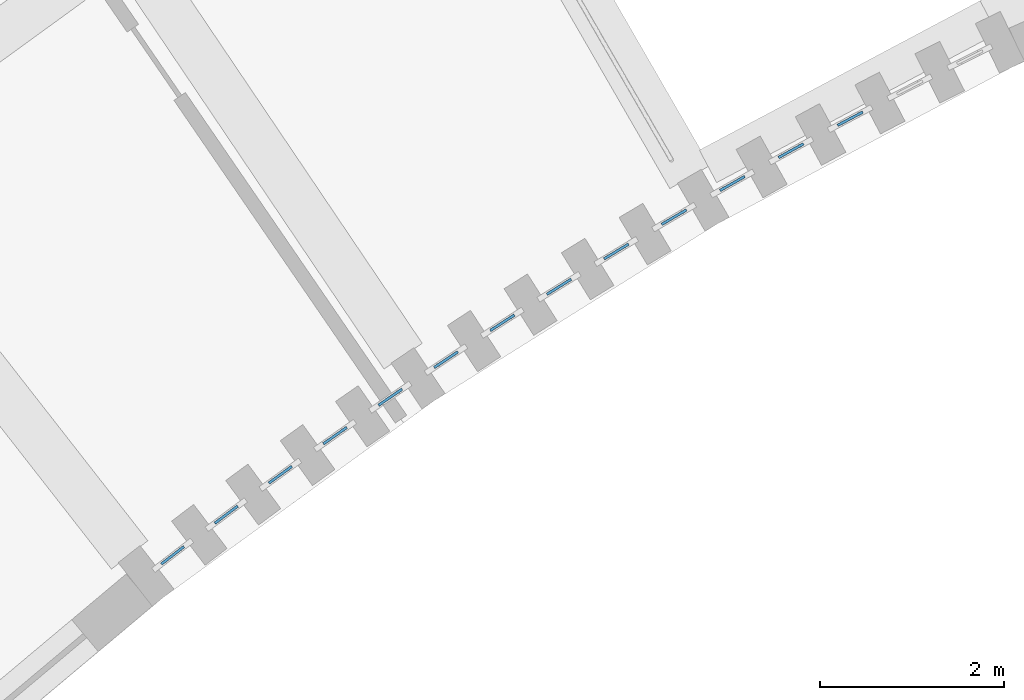
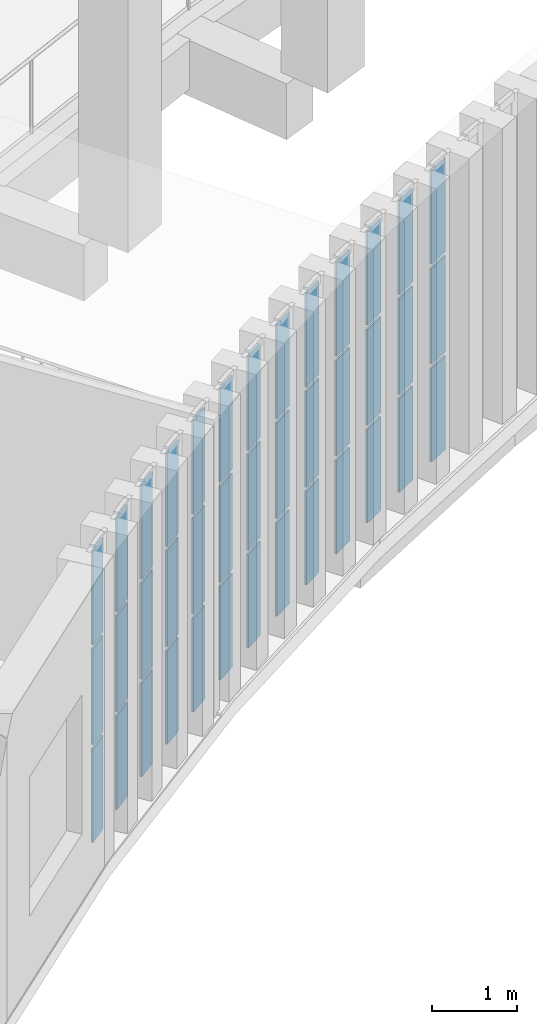
# One storey, part 40 of 112: 39 plates, 13 elements without a shape of their own.
"""IFC4 building model written with IfcOpenShell, lengths in metres."""

from ifc_helpers import new_model, si_unit, direction, frame, origin, origin_2d, place, context, subcontext, project, spatial, rectangle, extrude, material, layer, layer_set, type_object, element, aggregate, save


model = new_model("IFC4")

# Units and contexts
model_context = context("Model", 3, precision=1e-05, world=origin(), true_north=direction((0.0, 1.0)))
body_context = subcontext(model_context, "Body", "Model", "MODEL_VIEW")
ifc_project = project(units=[si_unit("LENGTHUNIT", "METRE"), si_unit("AREAUNIT", "SQUARE_METRE"), si_unit("VOLUMEUNIT", "CUBIC_METRE"), si_unit("PLANEANGLEUNIT", "RADIAN"), si_unit("MASSUNIT", "GRAM", prefix="KILO")], contexts=[model_context])

# Site, building, storey
site_placement = place(None, origin())
site = spatial("IfcSite", under=ifc_project, at=site_placement, CompositionType="ELEMENT")
building_placement = place(site_placement, origin())
building = spatial("IfcBuilding", under=site, at=building_placement, Name="Lunette Opera House", CompositionType="ELEMENT")
storey_placement = place(building_placement, frame((0.0, 0.0, 6.0)))
storey = spatial("IfcBuildingStorey", under=building, at=storey_placement, Name="L01", CompositionType="ELEMENT", Elevation=6.0)

# Curtain wall, plates
ifc_material_1 = material(Name="Aluminium", Category="aluminium")
ifc_layer_1 = layer(ifc_material_1, 0.1201171875)
ifc_layer_set_1 = layer_set([ifc_layer_1], Name="Aluminium")
curtain_wall_type = type_object("IfcCurtainWallType", Name="SLOT CURTAIN WALL", PredefinedType="NOTDEFINED", material=ifc_layer_set_1)
curtain_wall_1_placement = place(storey_placement, origin())
curtain_wall_1 = element("IfcCurtainWall", 1, at=curtain_wall_1_placement, inside=storey, type_object=curtain_wall_type, Name="Slot Curtain Wall CS006 L01", PredefinedType="NOTDEFINED")
ifc_material_2 = material(Name="Laminated glass", Category="glass")
ifc_layer_2 = layer(ifc_material_2, 0.028076171875)
ifc_layer_set_2 = layer_set([ifc_layer_2], Name="Laminated glass")
plate_type = type_object("IfcPlateType", Name="CURTAIN PANEL LAMINATED GLASS 28", PredefinedType="CURTAIN_PANEL", material=ifc_layer_set_2)
plate_1_placement = place(storey_placement, frame((64.089599609375, 41.4365234375, 0.06005859375), z_axis=(0.0, 0.0, 1.0), x_axis=(0.791846424704, 0.610720263036, 0.0)))
plate_1 = element("IfcPlate", 2, at=plate_1_placement, type_object=plate_type, Name="FC-X2012 panel 1.1", PredefinedType="CURTAIN_PANEL", context=body_context, shape_type="SweptSolid", body=[
    extrude(rectangle(XDim=0.310546875, YDim=0.028076171875, at=origin_2d()), origin(), (0.0, 0.0, 1.0), 1.343017578125),
])
plate_2_placement = place(storey_placement, frame((64.089599609375, 41.4365234375, 1.462890625), z_axis=(0.0, 0.0, 1.0), x_axis=(0.791846424704, 0.610720263036, 0.0)))
plate_2 = element("IfcPlate", 3, at=plate_2_placement, type_object=plate_type, Name="FC-X2012 panel 1.2", PredefinedType="CURTAIN_PANEL", context=body_context, shape_type="SweptSolid", body=[
    extrude(rectangle(XDim=0.310546875, YDim=0.028076171875, at=origin_2d()), origin(), (0.0, 0.0, 1.0), 1.3740234375),
])
plate_3_placement = place(storey_placement, frame((64.089599609375, 41.4365234375, 2.89697265625), z_axis=(0.0, 0.0, 1.0), x_axis=(0.791846424704, 0.610720263036, 0.0)))
plate_3 = element("IfcPlate", 4, at=plate_3_placement, type_object=plate_type, Name="FC-X2012 panel 1.3", PredefinedType="CURTAIN_PANEL", context=body_context, shape_type="SweptSolid", body=[
    extrude(rectangle(XDim=0.310546875, YDim=0.028076171875, at=origin_2d()), origin(), (0.0, 0.0, 1.0), 1.343017578125),
])
aggregate(curtain_wall_1, [plate_1, plate_2, plate_3])

curtain_wall_2_placement = place(storey_placement, origin())
curtain_wall_2 = element("IfcCurtainWall", 5, at=curtain_wall_2_placement, inside=storey, type_object=curtain_wall_type, Name="Slot Curtain Wall CS007 L01", PredefinedType="NOTDEFINED")
plate_4_placement = place(storey_placement, frame((64.67138671875, 41.8779296875, 0.06005859375), z_axis=(0.0, 0.0, 1.0), x_axis=(0.800834877873, 0.598885213026, 0.0)))
plate_4 = element("IfcPlate", 6, at=plate_4_placement, type_object=plate_type, Name="FC-X2014 panel 1.1", PredefinedType="CURTAIN_PANEL", context=body_context, shape_type="SweptSolid", body=[
    extrude(rectangle(XDim=0.310791015625, YDim=0.028076171875, at=origin_2d()), origin(), (0.0, 0.0, 1.0), 1.343017578125),
])
plate_5_placement = place(storey_placement, frame((64.67138671875, 41.8779296875, 1.462890625), z_axis=(0.0, 0.0, 1.0), x_axis=(0.800834877873, 0.598885213026, 0.0)))
plate_5 = element("IfcPlate", 7, at=plate_5_placement, type_object=plate_type, Name="FC-X2014 panel 1.2", PredefinedType="CURTAIN_PANEL", context=body_context, shape_type="SweptSolid", body=[
    extrude(rectangle(XDim=0.310791015625, YDim=0.028076171875, at=origin_2d()), origin(), (0.0, 0.0, 1.0), 1.3740234375),
])
plate_6_placement = place(storey_placement, frame((64.67138671875, 41.8779296875, 2.89697265625), z_axis=(0.0, 0.0, 1.0), x_axis=(0.800834877873, 0.598885213026, 0.0)))
plate_6 = element("IfcPlate", 8, at=plate_6_placement, type_object=plate_type, Name="FC-X2014 panel 1.3", PredefinedType="CURTAIN_PANEL", context=body_context, shape_type="SweptSolid", body=[
    extrude(rectangle(XDim=0.310791015625, YDim=0.028076171875, at=origin_2d()), origin(), (0.0, 0.0, 1.0), 1.343017578125),
])
aggregate(curtain_wall_2, [plate_4, plate_5, plate_6])

curtain_wall_3_placement = place(storey_placement, origin())
curtain_wall_3 = element("IfcCurtainWall", 9, at=curtain_wall_3_placement, inside=storey, type_object=curtain_wall_type, Name="Slot Curtain Wall CS008 L01", PredefinedType="NOTDEFINED")
plate_7_placement = place(storey_placement, frame((65.259033203125, 42.3115234375, 0.06005859375), z_axis=(0.0, 0.0, 1.0), x_axis=(0.808836580304, 0.58803349085, 0.0)))
plate_7 = element("IfcPlate", 10, at=plate_7_placement, type_object=plate_type, Name="FC-X2016 panel 1.1", PredefinedType="CURTAIN_PANEL", context=body_context, shape_type="SweptSolid", body=[
    extrude(rectangle(XDim=0.310302734375, YDim=0.028076171875, at=origin_2d()), origin(), (0.0, 0.0, 1.0), 1.343017578125),
])
plate_8_placement = place(storey_placement, frame((65.259033203125, 42.3115234375, 1.462890625), z_axis=(0.0, 0.0, 1.0), x_axis=(0.808836580304, 0.58803349085, 0.0)))
plate_8 = element("IfcPlate", 11, at=plate_8_placement, type_object=plate_type, Name="FC-X2016 panel 1.2", PredefinedType="CURTAIN_PANEL", context=body_context, shape_type="SweptSolid", body=[
    extrude(rectangle(XDim=0.310302734375, YDim=0.028076171875, at=origin_2d()), origin(), (0.0, 0.0, 1.0), 1.3740234375),
])
plate_9_placement = place(storey_placement, frame((65.259033203125, 42.3115234375, 2.89697265625), z_axis=(0.0, 0.0, 1.0), x_axis=(0.808836580304, 0.58803349085, 0.0)))
plate_9 = element("IfcPlate", 12, at=plate_9_placement, type_object=plate_type, Name="FC-X2016 panel 1.3", PredefinedType="CURTAIN_PANEL", context=body_context, shape_type="SweptSolid", body=[
    extrude(rectangle(XDim=0.310302734375, YDim=0.028076171875, at=origin_2d()), origin(), (0.0, 0.0, 1.0), 1.343017578125),
])
aggregate(curtain_wall_3, [plate_7, plate_8, plate_9])

curtain_wall_4_placement = place(storey_placement, origin())
curtain_wall_4 = element("IfcCurtainWall", 13, at=curtain_wall_4_placement, inside=storey, type_object=curtain_wall_type, Name="Slot Curtain Wall CS009 L01", PredefinedType="NOTDEFINED")
plate_10_placement = place(storey_placement, frame((65.85302734375, 42.736083984375, 0.06005859375), z_axis=(0.0, 0.0, 1.0), x_axis=(0.817482433129, 0.575953532436, 0.0)))
plate_10 = element("IfcPlate", 14, at=plate_10_placement, type_object=plate_type, Name="FC-X2018 panel 1.1", PredefinedType="CURTAIN_PANEL", context=body_context, shape_type="SweptSolid", body=[
    extrude(rectangle(XDim=0.310546875, YDim=0.028076171875, at=origin_2d()), origin(), (0.0, 0.0, 1.0), 1.343017578125),
])
plate_11_placement = place(storey_placement, frame((65.85302734375, 42.736083984375, 1.462890625), z_axis=(0.0, 0.0, 1.0), x_axis=(0.817482433129, 0.575953532436, 0.0)))
plate_11 = element("IfcPlate", 15, at=plate_11_placement, type_object=plate_type, Name="FC-X2018 panel 1.2", PredefinedType="CURTAIN_PANEL", context=body_context, shape_type="SweptSolid", body=[
    extrude(rectangle(XDim=0.310546875, YDim=0.028076171875, at=origin_2d()), origin(), (0.0, 0.0, 1.0), 1.3740234375),
])
plate_12_placement = place(storey_placement, frame((65.85302734375, 42.736083984375, 2.89697265625), z_axis=(0.0, 0.0, 1.0), x_axis=(0.817482433129, 0.575953532436, 0.0)))
plate_12 = element("IfcPlate", 16, at=plate_12_placement, type_object=plate_type, Name="FC-X2018 panel 1.3", PredefinedType="CURTAIN_PANEL", context=body_context, shape_type="SweptSolid", body=[
    extrude(rectangle(XDim=0.310546875, YDim=0.028076171875, at=origin_2d()), origin(), (0.0, 0.0, 1.0), 1.343017578125),
])
aggregate(curtain_wall_4, [plate_10, plate_11, plate_12])

curtain_wall_5_placement = place(storey_placement, origin())
curtain_wall_5 = element("IfcCurtainWall", 17, at=curtain_wall_5_placement, inside=storey, type_object=curtain_wall_type, Name="Slot Curtain Wall CS010 L01", PredefinedType="NOTDEFINED")
plate_13_placement = place(storey_placement, frame((66.452392578125, 43.153564453125, 0.06005859375), z_axis=(0.0, 0.0, 1.0), x_axis=(0.825193212937, 0.56485056548, 0.0)))
plate_13 = element("IfcPlate", 18, at=plate_13_placement, type_object=plate_type, Name="FC-X2020 panel 1.1", PredefinedType="CURTAIN_PANEL", context=body_context, shape_type="SweptSolid", body=[
    extrude(rectangle(XDim=0.310302734375, YDim=0.028076171875, at=origin_2d()), origin(), (0.0, 0.0, 1.0), 1.343017578125),
])
plate_14_placement = place(storey_placement, frame((66.452392578125, 43.153564453125, 1.462890625), z_axis=(0.0, 0.0, 1.0), x_axis=(0.825193212937, 0.56485056548, 0.0)))
plate_14 = element("IfcPlate", 19, at=plate_14_placement, type_object=plate_type, Name="FC-X2020 panel 1.2", PredefinedType="CURTAIN_PANEL", context=body_context, shape_type="SweptSolid", body=[
    extrude(rectangle(XDim=0.310302734375, YDim=0.028076171875, at=origin_2d()), origin(), (0.0, 0.0, 1.0), 1.3740234375),
])
plate_15_placement = place(storey_placement, frame((66.452392578125, 43.153564453125, 2.89697265625), z_axis=(0.0, 0.0, 1.0), x_axis=(0.825193212937, 0.56485056548, 0.0)))
plate_15 = element("IfcPlate", 20, at=plate_15_placement, type_object=plate_type, Name="FC-X2020 panel 1.3", PredefinedType="CURTAIN_PANEL", context=body_context, shape_type="SweptSolid", body=[
    extrude(rectangle(XDim=0.310302734375, YDim=0.028076171875, at=origin_2d()), origin(), (0.0, 0.0, 1.0), 1.343017578125),
])
aggregate(curtain_wall_5, [plate_13, plate_14, plate_15])

curtain_wall_6_placement = place(storey_placement, origin())
curtain_wall_6 = element("IfcCurtainWall", 21, at=curtain_wall_6_placement, inside=storey, type_object=curtain_wall_type, Name="Slot Curtain Wall CS011 L01", PredefinedType="NOTDEFINED")
plate_16_placement = place(storey_placement, frame((67.05810546875, 43.56103515625, 0.06005859375), z_axis=(0.0, 0.0, 1.0), x_axis=(0.832765343277, 0.553626122068, 0.0)))
plate_16 = element("IfcPlate", 22, at=plate_16_placement, type_object=plate_type, Name="FC-X2022 panel 1.1", PredefinedType="CURTAIN_PANEL", context=body_context, shape_type="SweptSolid", body=[
    extrude(rectangle(XDim=0.309814453125, YDim=0.028076171875, at=origin_2d()), origin(), (0.0, 0.0, 1.0), 1.343017578125),
])
plate_17_placement = place(storey_placement, frame((67.05810546875, 43.56103515625, 1.462890625), z_axis=(0.0, 0.0, 1.0), x_axis=(0.832765343277, 0.553626122068, 0.0)))
plate_17 = element("IfcPlate", 23, at=plate_17_placement, type_object=plate_type, Name="FC-X2022 panel 1.2", PredefinedType="CURTAIN_PANEL", context=body_context, shape_type="SweptSolid", body=[
    extrude(rectangle(XDim=0.309814453125, YDim=0.028076171875, at=origin_2d()), origin(), (0.0, 0.0, 1.0), 1.3740234375),
])
plate_18_placement = place(storey_placement, frame((67.05810546875, 43.56103515625, 2.89697265625), z_axis=(0.0, 0.0, 1.0), x_axis=(0.832765343277, 0.553626122068, 0.0)))
plate_18 = element("IfcPlate", 24, at=plate_18_placement, type_object=plate_type, Name="FC-X2022 panel 1.3", PredefinedType="CURTAIN_PANEL", context=body_context, shape_type="SweptSolid", body=[
    extrude(rectangle(XDim=0.309814453125, YDim=0.028076171875, at=origin_2d()), origin(), (0.0, 0.0, 1.0), 1.343017578125),
])
aggregate(curtain_wall_6, [plate_16, plate_17, plate_18])

curtain_wall_7_placement = place(storey_placement, origin())
curtain_wall_7 = element("IfcCurtainWall", 25, at=curtain_wall_7_placement, inside=storey, type_object=curtain_wall_type, Name="Slot Curtain Wall CS012 L01", PredefinedType="NOTDEFINED")
plate_19_placement = place(storey_placement, frame((67.6689453125, 43.96142578125, 0.06005859375), z_axis=(0.0, 0.0, 1.0), x_axis=(0.840876455946, 0.541227111143, 0.0)))
plate_19 = element("IfcPlate", 26, at=plate_19_placement, type_object=plate_type, Name="FC-X2024 panel 1.1", PredefinedType="CURTAIN_PANEL", context=body_context, shape_type="SweptSolid", body=[
    extrude(rectangle(XDim=0.310546875, YDim=0.028076171875, at=origin_2d()), origin(), (0.0, 0.0, 1.0), 1.343017578125),
])
plate_20_placement = place(storey_placement, frame((67.6689453125, 43.96142578125, 1.462890625), z_axis=(0.0, 0.0, 1.0), x_axis=(0.840876455946, 0.541227111143, 0.0)))
plate_20 = element("IfcPlate", 27, at=plate_20_placement, type_object=plate_type, Name="FC-X2024 panel 1.2", PredefinedType="CURTAIN_PANEL", context=body_context, shape_type="SweptSolid", body=[
    extrude(rectangle(XDim=0.310546875, YDim=0.028076171875, at=origin_2d()), origin(), (0.0, 0.0, 1.0), 1.3740234375),
])
plate_21_placement = place(storey_placement, frame((67.6689453125, 43.96142578125, 2.89697265625), z_axis=(0.0, 0.0, 1.0), x_axis=(0.840876455946, 0.541227111143, 0.0)))
plate_21 = element("IfcPlate", 28, at=plate_21_placement, type_object=plate_type, Name="FC-X2024 panel 1.3", PredefinedType="CURTAIN_PANEL", context=body_context, shape_type="SweptSolid", body=[
    extrude(rectangle(XDim=0.310546875, YDim=0.028076171875, at=origin_2d()), origin(), (0.0, 0.0, 1.0), 1.343017578125),
])
aggregate(curtain_wall_7, [plate_19, plate_20, plate_21])

curtain_wall_8_placement = place(storey_placement, origin())
curtain_wall_8 = element("IfcCurtainWall", 29, at=curtain_wall_8_placement, inside=storey, type_object=curtain_wall_type, Name="Slot Curtain Wall CS013 L01", PredefinedType="NOTDEFINED")
plate_22_placement = place(storey_placement, frame((68.285400390625, 44.35302734375, 0.06005859375), z_axis=(0.0, 0.0, 1.0), x_axis=(0.848128819893, 0.52979005735, 0.0)))
plate_22 = element("IfcPlate", 30, at=plate_22_placement, type_object=plate_type, Name="FC-X2026 panel 1.1", PredefinedType="CURTAIN_PANEL", context=body_context, shape_type="SweptSolid", body=[
    extrude(rectangle(XDim=0.310302734375, YDim=0.028076171875, at=origin_2d()), origin(), (0.0, 0.0, 1.0), 1.343017578125),
])
plate_23_placement = place(storey_placement, frame((68.285400390625, 44.35302734375, 1.462890625), z_axis=(0.0, 0.0, 1.0), x_axis=(0.848128819893, 0.52979005735, 0.0)))
plate_23 = element("IfcPlate", 31, at=plate_23_placement, type_object=plate_type, Name="FC-X2026 panel 1.2", PredefinedType="CURTAIN_PANEL", context=body_context, shape_type="SweptSolid", body=[
    extrude(rectangle(XDim=0.310302734375, YDim=0.028076171875, at=origin_2d()), origin(), (0.0, 0.0, 1.0), 1.3740234375),
])
plate_24_placement = place(storey_placement, frame((68.285400390625, 44.35302734375, 2.89697265625), z_axis=(0.0, 0.0, 1.0), x_axis=(0.848128819893, 0.52979005735, 0.0)))
plate_24 = element("IfcPlate", 32, at=plate_24_placement, type_object=plate_type, Name="FC-X2026 panel 1.3", PredefinedType="CURTAIN_PANEL", context=body_context, shape_type="SweptSolid", body=[
    extrude(rectangle(XDim=0.310302734375, YDim=0.028076171875, at=origin_2d()), origin(), (0.0, 0.0, 1.0), 1.343017578125),
])
aggregate(curtain_wall_8, [plate_22, plate_23, plate_24])

curtain_wall_9_placement = place(storey_placement, origin())
curtain_wall_9 = element("IfcCurtainWall", 33, at=curtain_wall_9_placement, inside=storey, type_object=curtain_wall_type, Name="Slot Curtain Wall CS014 L01", PredefinedType="NOTDEFINED")
plate_25_placement = place(storey_placement, frame((68.906982421875, 44.735595703125, 0.06005859375), z_axis=(0.0, 0.0, 1.0), x_axis=(0.855229045475, 0.518250209625, 0.0)))
plate_25 = element("IfcPlate", 34, at=plate_25_placement, type_object=plate_type, Name="FC-X2028 panel 1.1", PredefinedType="CURTAIN_PANEL", context=body_context, shape_type="SweptSolid", body=[
    extrude(rectangle(XDim=0.310302734375, YDim=0.028076171875, at=origin_2d()), origin(), (0.0, 0.0, 1.0), 1.343017578125),
])
plate_26_placement = place(storey_placement, frame((68.906982421875, 44.735595703125, 1.462890625), z_axis=(0.0, 0.0, 1.0), x_axis=(0.855229045475, 0.518250209625, 0.0)))
plate_26 = element("IfcPlate", 35, at=plate_26_placement, type_object=plate_type, Name="FC-X2028 panel 1.2", PredefinedType="CURTAIN_PANEL", context=body_context, shape_type="SweptSolid", body=[
    extrude(rectangle(XDim=0.310302734375, YDim=0.028076171875, at=origin_2d()), origin(), (0.0, 0.0, 1.0), 1.3740234375),
])
plate_27_placement = place(storey_placement, frame((68.906982421875, 44.735595703125, 2.89697265625), z_axis=(0.0, 0.0, 1.0), x_axis=(0.855229045475, 0.518250209625, 0.0)))
plate_27 = element("IfcPlate", 36, at=plate_27_placement, type_object=plate_type, Name="FC-X2028 panel 1.3", PredefinedType="CURTAIN_PANEL", context=body_context, shape_type="SweptSolid", body=[
    extrude(rectangle(XDim=0.310302734375, YDim=0.028076171875, at=origin_2d()), origin(), (0.0, 0.0, 1.0), 1.343017578125),
])
aggregate(curtain_wall_9, [plate_25, plate_26, plate_27])

curtain_wall_10_placement = place(storey_placement, origin())
curtain_wall_10 = element("IfcCurtainWall", 37, at=curtain_wall_10_placement, inside=storey, type_object=curtain_wall_type, Name="Slot Curtain Wall CS015 L01", PredefinedType="NOTDEFINED")
plate_28_placement = place(storey_placement, frame((69.534423828125, 45.10888671875, 0.06005859375), z_axis=(0.0, 0.0, 1.0), x_axis=(0.862173082583, 0.506613832884, 0.0)))
plate_28 = element("IfcPlate", 38, at=plate_28_placement, type_object=plate_type, Name="FC-X2030 panel 1.1", PredefinedType="CURTAIN_PANEL", context=body_context, shape_type="SweptSolid", body=[
    extrude(rectangle(XDim=0.310302734375, YDim=0.028076171875, at=origin_2d()), origin(), (0.0, 0.0, 1.0), 1.343017578125),
])
plate_29_placement = place(storey_placement, frame((69.534423828125, 45.10888671875, 1.462890625), z_axis=(0.0, 0.0, 1.0), x_axis=(0.862173082583, 0.506613832884, 0.0)))
plate_29 = element("IfcPlate", 39, at=plate_29_placement, type_object=plate_type, Name="FC-X2030 panel 1.2", PredefinedType="CURTAIN_PANEL", context=body_context, shape_type="SweptSolid", body=[
    extrude(rectangle(XDim=0.310302734375, YDim=0.028076171875, at=origin_2d()), origin(), (0.0, 0.0, 1.0), 1.3740234375),
])
plate_30_placement = place(storey_placement, frame((69.534423828125, 45.10888671875, 2.89697265625), z_axis=(0.0, 0.0, 1.0), x_axis=(0.862173082583, 0.506613832884, 0.0)))
plate_30 = element("IfcPlate", 40, at=plate_30_placement, type_object=plate_type, Name="FC-X2030 panel 1.3", PredefinedType="CURTAIN_PANEL", context=body_context, shape_type="SweptSolid", body=[
    extrude(rectangle(XDim=0.310302734375, YDim=0.028076171875, at=origin_2d()), origin(), (0.0, 0.0, 1.0), 1.343017578125),
])
aggregate(curtain_wall_10, [plate_28, plate_29, plate_30])

curtain_wall_11_placement = place(storey_placement, origin())
curtain_wall_11 = element("IfcCurtainWall", 41, at=curtain_wall_11_placement, inside=storey, type_object=curtain_wall_type, Name="Slot Curtain Wall CS016 L01", PredefinedType="NOTDEFINED")
plate_31_placement = place(storey_placement, frame((70.1669921875, 45.47412109375, 0.06005859375), z_axis=(0.0, 0.0, 1.0), x_axis=(0.869955662474, 0.493129947711, 0.0)))
plate_31 = element("IfcPlate", 42, at=plate_31_placement, type_object=plate_type, Name="FC-X2032 panel 1.1", PredefinedType="CURTAIN_PANEL", context=body_context, shape_type="SweptSolid", body=[
    extrude(rectangle(XDim=0.309814453125, YDim=0.028076171875, at=origin_2d()), origin(), (0.0, 0.0, 1.0), 1.343017578125),
])
plate_32_placement = place(storey_placement, frame((70.1669921875, 45.47412109375, 1.462890625), z_axis=(0.0, 0.0, 1.0), x_axis=(0.869955662474, 0.493129947711, 0.0)))
plate_32 = element("IfcPlate", 43, at=plate_32_placement, type_object=plate_type, Name="FC-X2032 panel 1.2", PredefinedType="CURTAIN_PANEL", context=body_context, shape_type="SweptSolid", body=[
    extrude(rectangle(XDim=0.309814453125, YDim=0.028076171875, at=origin_2d()), origin(), (0.0, 0.0, 1.0), 1.3740234375),
])
plate_33_placement = place(storey_placement, frame((70.1669921875, 45.47412109375, 2.89697265625), z_axis=(0.0, 0.0, 1.0), x_axis=(0.869955662474, 0.493129947711, 0.0)))
plate_33 = element("IfcPlate", 44, at=plate_33_placement, type_object=plate_type, Name="FC-X2032 panel 1.3", PredefinedType="CURTAIN_PANEL", context=body_context, shape_type="SweptSolid", body=[
    extrude(rectangle(XDim=0.309814453125, YDim=0.028076171875, at=origin_2d()), origin(), (0.0, 0.0, 1.0), 1.343017578125),
])
aggregate(curtain_wall_11, [plate_31, plate_32, plate_33])

curtain_wall_12_placement = place(storey_placement, origin())
curtain_wall_12 = element("IfcCurtainWall", 45, at=curtain_wall_12_placement, inside=storey, type_object=curtain_wall_type, Name="Slot Curtain Wall CS017 L01", PredefinedType="NOTDEFINED")
plate_34_placement = place(storey_placement, frame((70.804443359375, 45.83056640625, 0.06005859375), z_axis=(0.0, 0.0, 1.0), x_axis=(0.876559317425, 0.481293842715, 0.0)))
plate_34 = element("IfcPlate", 46, at=plate_34_placement, type_object=plate_type, Name="FC-X2034 panel 1.1", PredefinedType="CURTAIN_PANEL", context=body_context, shape_type="SweptSolid", body=[
    extrude(rectangle(XDim=0.31005859375, YDim=0.028076171875, at=origin_2d()), origin(), (0.0, 0.0, 1.0), 1.343017578125),
])
plate_35_placement = place(storey_placement, frame((70.804443359375, 45.83056640625, 1.462890625), z_axis=(0.0, 0.0, 1.0), x_axis=(0.876559317425, 0.481293842715, 0.0)))
plate_35 = element("IfcPlate", 47, at=plate_35_placement, type_object=plate_type, Name="FC-X2034 panel 1.2", PredefinedType="CURTAIN_PANEL", context=body_context, shape_type="SweptSolid", body=[
    extrude(rectangle(XDim=0.31005859375, YDim=0.028076171875, at=origin_2d()), origin(), (0.0, 0.0, 1.0), 1.3740234375),
])
plate_36_placement = place(storey_placement, frame((70.804443359375, 45.83056640625, 2.89697265625), z_axis=(0.0, 0.0, 1.0), x_axis=(0.876559317425, 0.481293842715, 0.0)))
plate_36 = element("IfcPlate", 48, at=plate_36_placement, type_object=plate_type, Name="FC-X2034 panel 1.3", PredefinedType="CURTAIN_PANEL", context=body_context, shape_type="SweptSolid", body=[
    extrude(rectangle(XDim=0.31005859375, YDim=0.028076171875, at=origin_2d()), origin(), (0.0, 0.0, 1.0), 1.343017578125),
])
aggregate(curtain_wall_12, [plate_34, plate_35, plate_36])

curtain_wall_13_placement = place(storey_placement, origin())
curtain_wall_13 = element("IfcCurtainWall", 49, at=curtain_wall_13_placement, inside=storey, type_object=curtain_wall_type, Name="Slot Curtain Wall CS018 L01", PredefinedType="NOTDEFINED")
plate_37_placement = place(storey_placement, frame((71.447021484375, 46.177978515625, 0.06005859375), z_axis=(0.0, 0.0, 1.0), x_axis=(0.882995347914, 0.469381737569, 0.0)))
plate_37 = element("IfcPlate", 50, at=plate_37_placement, type_object=plate_type, Name="FC-X2036 panel 1.1", PredefinedType="CURTAIN_PANEL", context=body_context, shape_type="SweptSolid", body=[
    extrude(rectangle(XDim=0.310302734375, YDim=0.028076171875, at=origin_2d()), origin(), (0.0, 0.0, 1.0), 1.343017578125),
])
plate_38_placement = place(storey_placement, frame((71.447021484375, 46.177978515625, 1.462890625), z_axis=(0.0, 0.0, 1.0), x_axis=(0.882995347914, 0.469381737569, 0.0)))
plate_38 = element("IfcPlate", 51, at=plate_38_placement, type_object=plate_type, Name="FC-X2036 panel 1.2", PredefinedType="CURTAIN_PANEL", context=body_context, shape_type="SweptSolid", body=[
    extrude(rectangle(XDim=0.310302734375, YDim=0.028076171875, at=origin_2d()), origin(), (0.0, 0.0, 1.0), 1.3740234375),
])
plate_39_placement = place(storey_placement, frame((71.447021484375, 46.177978515625, 2.89697265625), z_axis=(0.0, 0.0, 1.0), x_axis=(0.882995347914, 0.469381737569, 0.0)))
plate_39 = element("IfcPlate", 52, at=plate_39_placement, type_object=plate_type, Name="FC-X2036 panel 1.3", PredefinedType="CURTAIN_PANEL", context=body_context, shape_type="SweptSolid", body=[
    extrude(rectangle(XDim=0.310302734375, YDim=0.028076171875, at=origin_2d()), origin(), (0.0, 0.0, 1.0), 1.343017578125),
])
aggregate(curtain_wall_13, [plate_37, plate_38, plate_39])

save(model, "model.ifc")
